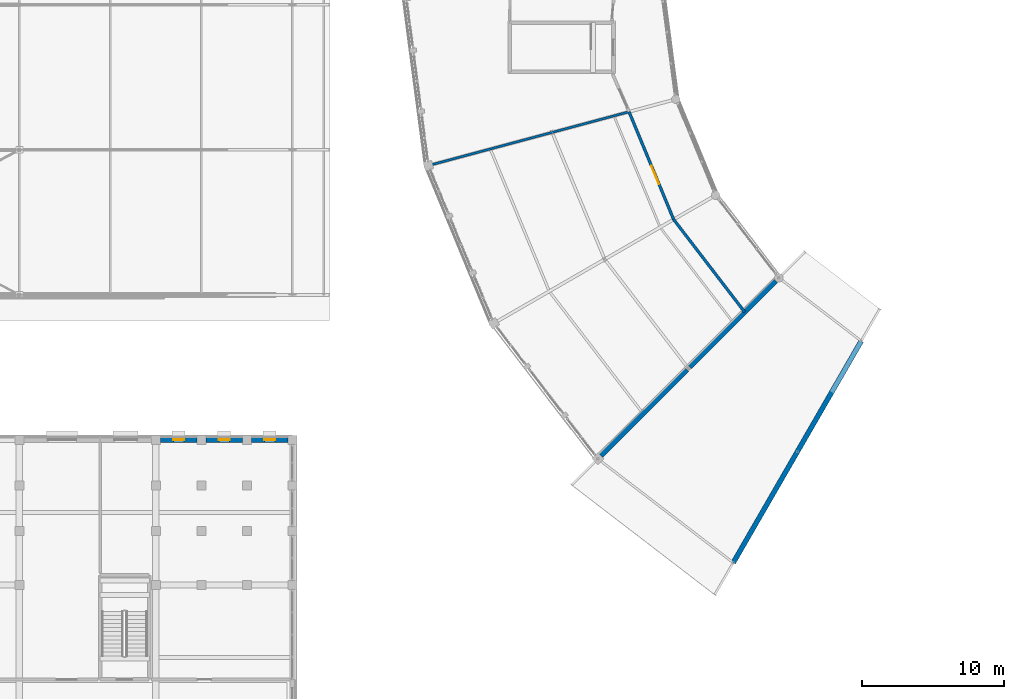
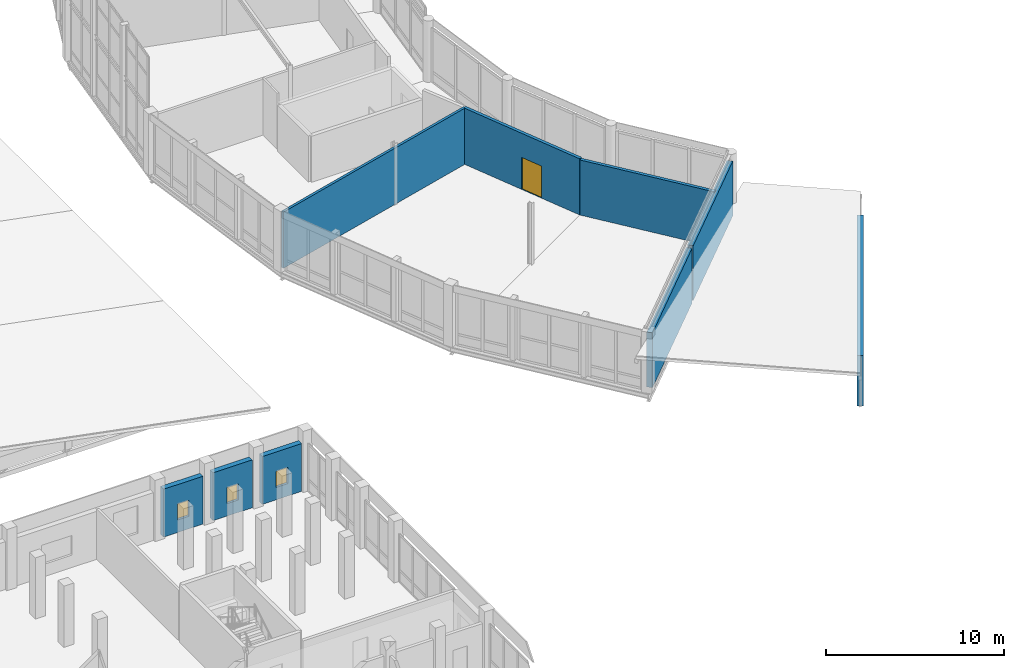
# One storey, part 180 of 200: 9 walls, 3 windows, 1 door, 4 openings.
"""IFC4 building model written with IfcOpenShell, lengths in metres."""

from ifc_helpers import new_model, si_unit, direction, frame, frame_2d, origin, place, context, subcontext, project, spatial, polyline, rectangle, outline, extrude, material, layer, layer_set, type_object, element, fill, save


model = new_model("IFC4")

# Units and contexts
model_context = context("Model", 3, precision=1e-05, world=origin(), true_north=direction((0.0, 1.0)))
body_context = subcontext(model_context, "Body", "Model", "MODEL_VIEW")
ifc_project = project(units=[si_unit("LENGTHUNIT", "METRE"), si_unit("AREAUNIT", "SQUARE_METRE"), si_unit("VOLUMEUNIT", "CUBIC_METRE"), si_unit("PLANEANGLEUNIT", "RADIAN"), si_unit("MASSUNIT", "GRAM", prefix="KILO")], contexts=[model_context])

# Site, building, storey
site_placement = place(None, origin())
site = spatial("IfcSite", under=ifc_project, at=site_placement, CompositionType="ELEMENT")
building_placement = place(site_placement, origin())
building = spatial("IfcBuilding", under=site, at=building_placement, Name="Vondelvale Polytechnic", CompositionType="ELEMENT")
storey_placement = place(building_placement, frame((0.0, 0.0, 13.800048828125)))
storey = spatial("IfcBuildingStorey", under=building, at=storey_placement, Name="L03", CompositionType="ELEMENT", Elevation=13.800048828125)

# Wall, opening, window
ifc_material_1 = material(Name="Amsterdam School iron-spot clinker clay brickwork", Category="masonry")
ifc_layer_1 = layer(ifc_material_1, 0.340087890625)
ifc_layer_set_1 = layer_set([ifc_layer_1], Name="WL-BRICK-340")
wall_type_1 = type_object("IfcWallType", Name="WL-BRICK-340", PredefinedType="SOLIDWALL", material=ifc_layer_set_1)
wall_1_placement = place(storey_placement, frame((38.72607421875, 40.800048828125, 0.0), z_axis=(0.0, 0.0, 1.0), x_axis=(1.0, 0.0, 0.0)))
wall_1 = element("IfcWall", 1, at=wall_1_placement, inside=storey, type_object=wall_type_1, Name="L03 exterior masonry facade wall", PredefinedType="SOLIDWALL", context=body_context, shape_type="SweptSolid", body=[
    extrude(rectangle(XDim=2.5478515625, YDim=0.340087890625, at=frame_2d((1.27392578125, 0.0))), origin(), (0.0, 0.0, 1.0), 3.280029296875),
])
opening_1_placement = place(wall_1_placement, frame((0.89892578125, 0.0, 0.85009765625)))
opening_1 = element("IfcOpeningElement", 2, at=opening_1_placement, cuts=wall_1, Name="Opening WN-0228", PredefinedType="OPENING", context=body_context, shape_type="SweptSolid", body=[
    extrude(rectangle(XDim=0.75, YDim=1.10009765625, at=frame_2d((0.375, 0.550048828125))), frame((0.0, 0.179931640625, 0.0), z_axis=(0.0, -1.0, 0.0), x_axis=(1.0, 0.0, 0.0)), (0.0, 0.0, 1.0), 0.360107421875),
])
ifc_material_2 = material(Name="Double-glazed low-E insulated architectural glass", Category="glass")
window_type = type_object("IfcWindowType", Name="WN-WC-0750x1100", PartitioningType="SINGLE_PANEL", PredefinedType="WINDOW", material=ifc_material_2)
window_1_placement = place(opening_1_placement, origin())
window_1 = element("IfcWindow", 3, at=window_1_placement, inside=storey, type_object=window_type, Name="L03 double-glazed architectural window WN-0228", OverallHeight=1.10009765625, OverallWidth=0.75, PartitioningType="SINGLE_PANEL", PredefinedType="WINDOW", context=body_context, shape_type="SweptSolid", body=[
    extrude(rectangle(XDim=0.75, YDim=1.10009765625, at=frame_2d((0.375, 0.550048828125))), frame((0.0, 0.030029296875, 0.0), z_axis=(0.0, -1.0, 0.0), x_axis=(1.0, 0.0, 0.0)), (0.0, 0.0, 1.0), 0.06005859375),
])
fill(opening_1, window_1)

wall_2_placement = place(storey_placement, frame((41.926025390625, 40.800048828125, 0.0), z_axis=(0.0, 0.0, 1.0), x_axis=(1.0, 0.0, 0.0)))
wall_2 = element("IfcWall", 4, at=wall_2_placement, inside=storey, type_object=wall_type_1, Name="L03 exterior masonry facade wall", PredefinedType="SOLIDWALL", context=body_context, shape_type="SweptSolid", body=[
    extrude(rectangle(XDim=2.548095703125, YDim=0.340087890625, at=frame_2d((1.27392578125, 0.0))), origin(), (0.0, 0.0, 1.0), 3.280029296875),
])
opening_2_placement = place(wall_2_placement, frame((0.89892578125, 0.0, 0.85009765625)))
opening_2 = element("IfcOpeningElement", 5, at=opening_2_placement, cuts=wall_2, Name="Opening WN-0229", PredefinedType="OPENING", context=body_context, shape_type="SweptSolid", body=[
    extrude(rectangle(XDim=0.75, YDim=1.10009765625, at=frame_2d((0.375, 0.550048828125))), frame((0.0, 0.179931640625, 0.0), z_axis=(0.0, -1.0, 0.0), x_axis=(1.0, 0.0, 0.0)), (0.0, 0.0, 1.0), 0.360107421875),
])
window_2_placement = place(opening_2_placement, origin())
window_2 = element("IfcWindow", 6, at=window_2_placement, inside=storey, type_object=window_type, Name="L03 double-glazed architectural window WN-0229", OverallHeight=1.10009765625, OverallWidth=0.75, PartitioningType="SINGLE_PANEL", PredefinedType="WINDOW", context=body_context, shape_type="SweptSolid", body=[
    extrude(rectangle(XDim=0.75, YDim=1.10009765625, at=frame_2d((0.375, 0.550048828125))), frame((0.0, 0.030029296875, 0.0), z_axis=(0.0, -1.0, 0.0), x_axis=(1.0, 0.0, 0.0)), (0.0, 0.0, 1.0), 0.06005859375),
])
fill(opening_2, window_2)

wall_3_placement = place(storey_placement, frame((45.1259765625, 40.800048828125, 0.0), z_axis=(0.0, 0.0, 1.0), x_axis=(1.0, 0.0, 0.0)))
wall_3 = element("IfcWall", 7, at=wall_3_placement, inside=storey, type_object=wall_type_1, Name="L03 exterior masonry facade wall", PredefinedType="SOLIDWALL", context=body_context, shape_type="SweptSolid", body=[
    extrude(rectangle(XDim=2.548095703125, YDim=0.340087890625, at=frame_2d((1.27392578125, 0.0))), origin(), (0.0, 0.0, 1.0), 3.280029296875),
])
opening_3_placement = place(wall_3_placement, frame((0.89892578125, 0.0, 0.85009765625)))
opening_3 = element("IfcOpeningElement", 8, at=opening_3_placement, cuts=wall_3, Name="Opening WN-0230", PredefinedType="OPENING", context=body_context, shape_type="SweptSolid", body=[
    extrude(rectangle(XDim=0.75, YDim=1.10009765625, at=frame_2d((0.375, 0.550048828125))), frame((0.0, 0.179931640625, 0.0), z_axis=(0.0, -1.0, 0.0), x_axis=(1.0, 0.0, 0.0)), (0.0, 0.0, 1.0), 0.360107421875),
])
window_3_placement = place(opening_3_placement, origin())
window_3 = element("IfcWindow", 9, at=window_3_placement, inside=storey, type_object=window_type, Name="L03 double-glazed architectural window WN-0230", OverallHeight=1.10009765625, OverallWidth=0.75, PartitioningType="SINGLE_PANEL", PredefinedType="WINDOW", context=body_context, shape_type="SweptSolid", body=[
    extrude(rectangle(XDim=0.75, YDim=1.10009765625, at=frame_2d((0.375, 0.550048828125))), frame((0.0, 0.030029296875, 0.0), z_axis=(0.0, -1.0, 0.0), x_axis=(1.0, 0.0, 0.0)), (0.0, 0.0, 1.0), 0.06005859375),
])
fill(opening_3, window_3)

# Walls
for number, where, z_axis, x_axis, name in (
    (10, (69.685791015625, 39.685791015625, 0.0), (0.0, 0.0, 1.0), (0.707106781187, 0.707106781187, 0.0), "L03 exterior masonry facade wall"),
    (11, (75.927490234375, 45.927490234375, 0.0), (0.0, 0.0, 1.0), (0.707106781187, 0.707106781187, 0.0), "L03 exterior masonry facade wall"),
):
    element("IfcWall", number, at=place(storey_placement, frame(where, z_axis=z_axis, x_axis=x_axis)), inside=storey, type_object=wall_type_1, Name=name, PredefinedType="SOLIDWALL", context=body_context, shape_type="SweptSolid", body=[
        extrude(rectangle(XDim=8.5712890625, YDim=0.340087890625, at=frame_2d((4.28564453125, 0.0))), origin(), (0.0, 0.0, 1.0), 3.760009765625),
    ])
ifc_layer_2 = layer(ifc_material_1, 0.35009765625)
ifc_layer_set_2 = layer_set([ifc_layer_2], Name="WL-BRICK-350")
wall_type_2 = type_object("IfcWallType", Name="WL-BRICK-350", PredefinedType="SOLIDWALL", material=ifc_layer_set_2)
wall_4_placement = place(storey_placement, frame((88.0, 47.751220703125, 0.02001953125), z_axis=(0.0, 0.0, 1.0), x_axis=(-0.5000018851, -0.866024315419, 0.0)))
element("IfcWall", 12, at=wall_4_placement, inside=storey, type_object=wall_type_2, Name="Ring stepped roof transition brick gable R16", PredefinedType="SOLIDWALL", context=body_context, shape_type="SweptSolid", body=[
    extrude(outline(polyline([(0.0, 0.0), (18.0, 0.0), (18.0, 3.451416015625), (0.0, 0.503173828125), (0.0, 0.0)])), frame((0.0, 0.175048828125, 0.0), z_axis=(0.0, -1.0, 0.0), x_axis=(1.0, 0.0, 0.0)), (0.0, 0.0, 1.0), 0.35009765625),
])

# Wall, opening, door
ifc_material_3 = material(Name="Fire-rated double-layer plasterboard stud partition")
ifc_layer_3 = layer(ifc_material_3, 0.199951171875)
ifc_layer_set_3 = layer_set([ifc_layer_3], Name="WL-CORR-200")
wall_type_3 = type_object("IfcWallType", Name="WL-CORR-200", PredefinedType="PARTITIONING", material=ifc_layer_set_3)
wall_5_placement = place(storey_placement, frame((71.669921875, 63.873046875, 0.0), z_axis=(0.0, 0.0, 1.0), x_axis=(0.382696385238, -0.923874167149, 0.0)))
wall_5 = element("IfcWall", 13, at=wall_5_placement, inside=storey, type_object=wall_type_3, Name="L03 interior acoustic partition", PredefinedType="PARTITIONING", context=body_context, shape_type="SweptSolid", body=[
    extrude(rectangle(XDim=8.197021484375, YDim=0.199951171875, at=frame_2d((4.0986328125, 0.0))), origin(), (0.0, 0.0, 1.0), 3.849853515625),
])
opening_4_placement = place(wall_5_placement, frame((4.10009765625, 0.0, 0.0)))
opening_4 = element("IfcOpeningElement", 14, at=opening_4_placement, cuts=wall_5, Name="Opening ID-0353", PredefinedType="OPENING", context=body_context, shape_type="SweptSolid", body=[
    extrude(rectangle(XDim=1.39990234375, YDim=2.199951171875, at=frame_2d((0.699951171875, 1.10009765625))), frame((0.0, 0.10986328125, 0.0), z_axis=(0.0, -1.0, 0.0), x_axis=(1.0, 0.0, 0.0)), (0.0, 0.0, 1.0), 0.219970703125),
])
ifc_material_4 = material(Name="Fire-rated solid Tasmanian oak joinery")
door_type = type_object("IfcDoorType", Name="DR-LAB-1400x2200", OperationType="DOUBLE_DOOR_SINGLE_SWING", PredefinedType="DOOR", material=ifc_material_4)
door_placement = place(opening_4_placement, origin())
door = element("IfcDoor", 15, at=door_placement, inside=storey, type_object=door_type, Name="L03 interior room door ID-0353", OperationType="DOUBLE_DOOR_SINGLE_SWING", OverallHeight=2.199951171875, OverallWidth=1.39990234375, PredefinedType="DOOR", context=body_context, shape_type="SweptSolid", body=[
    extrude(rectangle(XDim=1.39990234375, YDim=2.199951171875, at=frame_2d((0.699951171875, 1.10009765625))), frame((0.0, 0.02490234375, 0.0), z_axis=(0.0, -1.0, 0.0), x_axis=(1.0, 0.0, 0.0)), (0.0, 0.0, 1.0), 0.050048828125),
])
fill(opening_4, door)

# Walls
wall_6_placement = place(storey_placement, frame((74.806884765625, 56.300048828125, 0.0), z_axis=(0.0, 0.0, 1.0), x_axis=(0.608756011694, -0.793357497113, 0.0)))
element("IfcWall", 16, at=wall_6_placement, inside=storey, type_object=wall_type_3, Name="L03 interior acoustic partition", PredefinedType="PARTITIONING", context=body_context, shape_type="SweptSolid", body=[
    extrude(rectangle(XDim=8.197021484375, YDim=0.199951171875, at=frame_2d((4.0986328125, 0.0))), origin(), (0.0, 0.0, 1.0), 3.77685546875),
])
ifc_layer_4 = layer(ifc_material_3, 0.1650390625)
ifc_layer_set_4 = layer_set([ifc_layer_4], Name="WL-INT-165")
wall_type_4 = type_object("IfcWallType", Name="WL-INT-165", PredefinedType="PARTITIONING", material=ifc_layer_set_4)
wall_7_placement = place(storey_placement, frame((71.669921875, 63.873046875, 0.0), z_axis=(0.0, 0.0, 1.0), x_axis=(-0.965928107853, -0.258810530041, 0.0)))
element("IfcWall", 17, at=wall_7_placement, inside=storey, type_object=wall_type_4, Name="L03 interior acoustic partition", PredefinedType="PARTITIONING", context=body_context, shape_type="SweptSolid", body=[
    extrude(rectangle(XDim=14.47998046875, YDim=0.1650390625, at=frame_2d((7.239990234375, 0.0))), origin(), (0.0, 0.0, 1.0), 3.849853515625),
])

save(model, "model.ifc")
